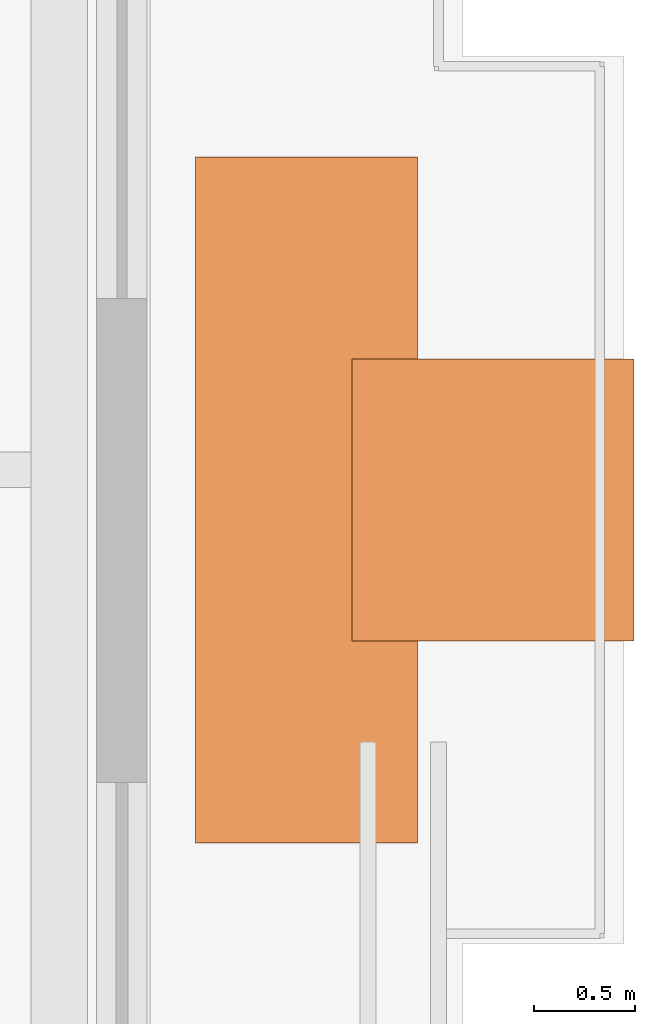
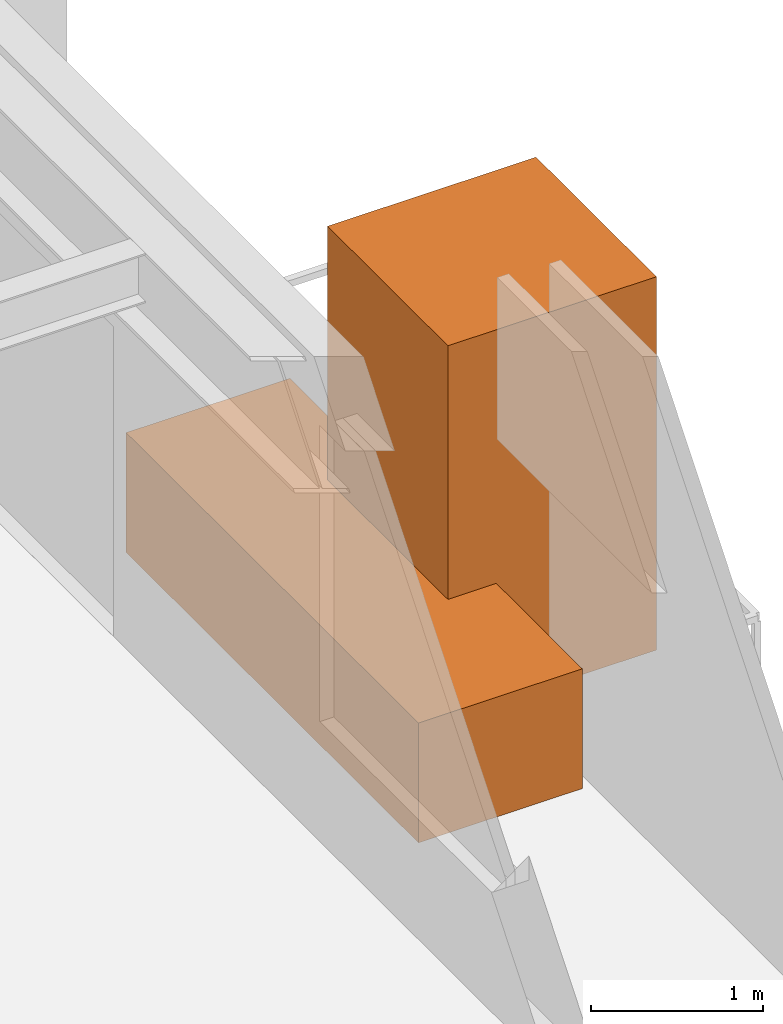
# One storey, part 28 of 28: 2 proxies.
"""IFC4 building model written with IfcOpenShell, lengths in metres."""

from ifc_helpers import new_model, si_unit, direction, frame, origin, origin_2d, place, context, subcontext, project, spatial, rectangle, extrude, material, type_object, element, save


model = new_model("IFC4")

# Units and contexts
model_context = context("Model", 3, precision=1e-05, world=origin(), true_north=direction((0.0, 1.0)))
body_context = subcontext(model_context, "Body", "Model", "MODEL_VIEW")
ifc_project = project(units=[si_unit("LENGTHUNIT", "METRE"), si_unit("AREAUNIT", "SQUARE_METRE"), si_unit("VOLUMEUNIT", "CUBIC_METRE"), si_unit("PLANEANGLEUNIT", "RADIAN"), si_unit("MASSUNIT", "GRAM", prefix="KILO")], contexts=[model_context])

# Site, building, storey
site_placement = place(None, origin())
site = spatial("IfcSite", under=ifc_project, at=site_placement, CompositionType="ELEMENT")
building_placement = place(site_placement, origin())
building = spatial("IfcBuilding", under=site, at=building_placement, Name="Brelmoor Portico Tower", CompositionType="ELEMENT")
storey_placement = place(building_placement, frame((0.0, 0.0, 191.10009765625)))
storey = spatial("IfcBuildingStorey", under=building, at=storey_placement, Name="L50", CompositionType="ELEMENT", Elevation=191.10009765625)

# Proxies
ifc_material_1 = material(Name="Planted Canopy Tree and Soil Rootball", Category="other")
building_element_proxy_type_1 = type_object("IfcBuildingElementProxyType", Name="BALCONY TREE ARBOR", PredefinedType="USERDEFINED", material=ifc_material_1)
proxy_1_placement = place(storey_placement, frame((22.699951171875, -3.39990234375, 0.0), z_axis=(0.0, 0.0, 1.0), x_axis=(1.0, 0.0, 0.0)))
element("IfcBuildingElementProxy", 1, at=proxy_1_placement, inside=storey, type_object=building_element_proxy_type_1, Name="L50 Balcony PLANTER Tree Canopy Arbor E", ObjectType="PLANTER", PredefinedType="USERDEFINED", context=body_context, shape_type="SweptSolid", body=[
    extrude(rectangle(XDim=1.39990234375, YDim=1.39990234375, at=origin_2d()), origin(), (0.0, 0.0, 1.0), 2.64990234375),
])
ifc_material_2 = material(Name="Architectural Precast Concrete C40", Category="concrete")
building_element_proxy_type_2 = type_object("IfcBuildingElementProxyType", Name="TREE PLANTER", PredefinedType="USERDEFINED", material=ifc_material_2)
proxy_2_placement = place(storey_placement, frame((21.77490234375, -3.39990234375, -0.000244140625), z_axis=(0.0, 0.0, 1.0), x_axis=(0.0, 1.0, 0.0)))
element("IfcBuildingElementProxy", 2, at=proxy_2_placement, inside=storey, type_object=building_element_proxy_type_2, Name="L50 Planted Tree Planter E", ObjectType="PLANTER", PredefinedType="USERDEFINED", context=body_context, shape_type="SweptSolid", body=[
    extrude(rectangle(XDim=3.39990234375, YDim=1.10009765625, at=origin_2d()), origin(), (0.0, 0.0, 1.0), 0.85009765625),
])

save(model, "model.ifc")
